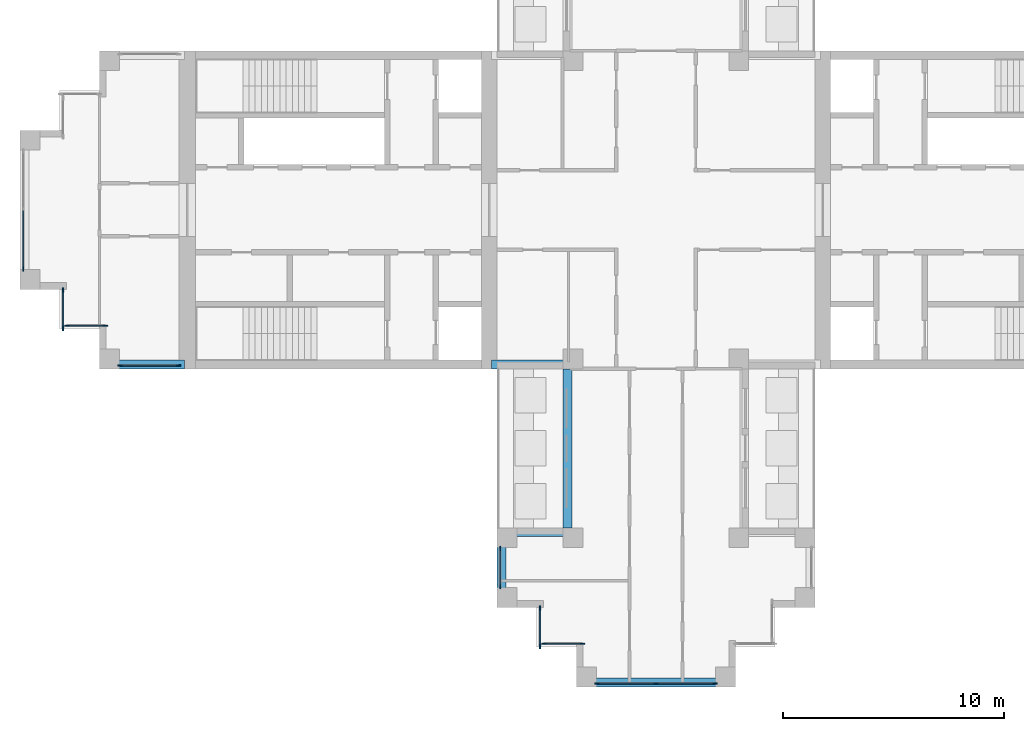
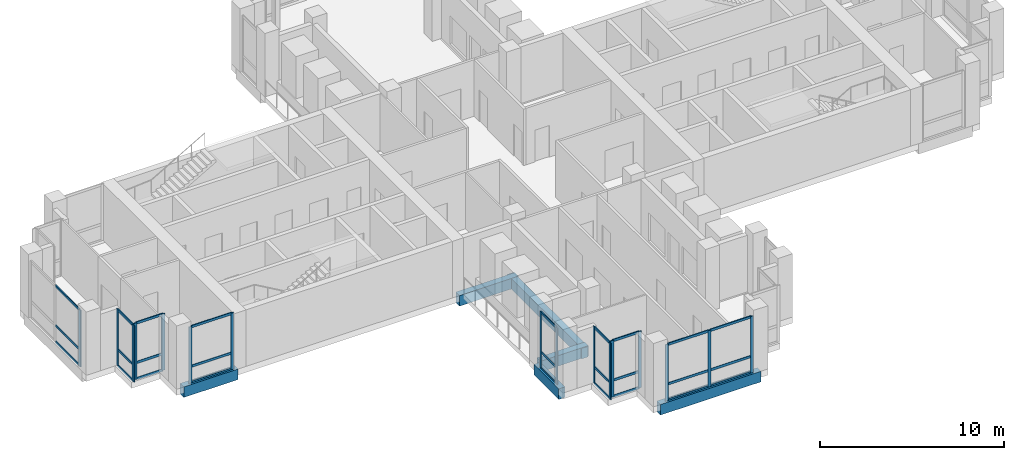
# One storey, part 2 of 13: 43 members, 6 beams, 8 elements without a shape of their own.
"""IFC4 building model written with IfcOpenShell, lengths in metres."""

from ifc_helpers import new_model, si_unit, direction, frame, origin, origin_2d, place, context, subcontext, project, spatial, rectangle, extrude, material, material_profile, profile_set, type_object, element, aggregate, save


model = new_model("IFC4")

# Units and contexts
model_context = context("Model", 3, precision=1e-05, world=origin(), true_north=direction((0.0, 1.0)))
body_context = subcontext(model_context, "Body", "Model", "MODEL_VIEW")
ifc_project = project(units=[si_unit("LENGTHUNIT", "METRE"), si_unit("AREAUNIT", "SQUARE_METRE"), si_unit("VOLUMEUNIT", "CUBIC_METRE"), si_unit("PLANEANGLEUNIT", "RADIAN"), si_unit("MASSUNIT", "GRAM", prefix="KILO")], contexts=[model_context])

# Site, building, storey
site_placement = place(None, origin())
site = spatial("IfcSite", under=ifc_project, at=site_placement, CompositionType="ELEMENT")
building_placement = place(site_placement, origin())
building = spatial("IfcBuilding", under=site, at=building_placement, Name="Fustian Cross Tower", CompositionType="ELEMENT")
storey_placement = place(building_placement, frame((0.0, 0.0, 237.89990234375)))
storey = spatial("IfcBuildingStorey", under=building, at=storey_placement, Name="L75", CompositionType="ELEMENT", Elevation=237.89990234375)

# Curtain wall, member
ifc_material_1 = material(Name="Dark anodised aluminium and double glazing", Category="aluminium")
curtain_wall_type = type_object("IfcCurtainWallType", Name="CW2 SUMMIT LOUNGE CURTAIN WALL", PredefinedType="NOTDEFINED", material=ifc_material_1)
curtain_wall_1_placement = place(storey_placement, origin())
curtain_wall_1 = element("IfcCurtainWall", 1, at=curtain_wall_1_placement, inside=storey, type_object=curtain_wall_type, Name="Curtain wall", PredefinedType="NOTDEFINED")
ifc_material_2 = material(Name="Aluminium alloy 6063", Category="aluminium")
ifc_material_profile_1 = material_profile(ifc_material_2, rectangle(XDim=0.06005859375, YDim=0.199951171875, at=origin_2d()), Name="CW2 MULLION 60X200")
ifc_profile_set_1 = profile_set([ifc_material_profile_1], Name="Aluminium alloy 6063")
member_type_1 = type_object("IfcMemberType", Name="CW2 MULLION 60X200", PredefinedType="MULLION", material=ifc_profile_set_1)
member_1_placement = place(storey_placement, frame((-28.64990234375, -2.669921875, 0.0), z_axis=(0.0, 0.0, 1.0), x_axis=(1.0, 0.0, 0.0)))
member_1 = element("IfcMember", 2, at=member_1_placement, type_object=member_type_1, Name="CW2 mullion 3", PredefinedType="MULLION", context=body_context, shape_type="SweptSolid", body=[
    extrude(rectangle(XDim=0.06005859375, YDim=0.199951171875, at=origin_2d()), origin(), (0.0, 0.0, 1.0), 3.75),
])

# Curtain wall, members
curtain_wall_2_placement = place(storey_placement, origin())
curtain_wall_2 = element("IfcCurtainWall", 3, at=curtain_wall_2_placement, inside=storey, type_object=curtain_wall_type, Name="Curtain wall", PredefinedType="NOTDEFINED")
member_2_placement = place(storey_placement, frame((-26.85009765625, -3.6298828125, 0.0), z_axis=(0.0, 0.0, 1.0), x_axis=(1.0, 0.0, 0.0)))
member_2 = element("IfcMember", 4, at=member_2_placement, type_object=member_type_1, Name="CW2 mullion 1", PredefinedType="MULLION", context=body_context, shape_type="SweptSolid", body=[
    extrude(rectangle(XDim=0.06005859375, YDim=0.199951171875, at=origin_2d()), origin(), (0.0, 0.0, 1.0), 3.75),
])
member_3_placement = place(storey_placement, frame((-26.85009765625, -5.3701171875, 0.0), z_axis=(0.0, 0.0, 1.0), x_axis=(1.0, 0.0, 0.0)))
member_3 = element("IfcMember", 5, at=member_3_placement, type_object=member_type_1, Name="CW2 mullion 2", PredefinedType="MULLION", context=body_context, shape_type="SweptSolid", body=[
    extrude(rectangle(XDim=0.06005859375, YDim=0.199951171875, at=origin_2d()), origin(), (0.0, 0.0, 1.0), 3.75),
])

curtain_wall_3_placement = place(storey_placement, origin())
curtain_wall_3 = element("IfcCurtainWall", 6, at=curtain_wall_3_placement, inside=storey, type_object=curtain_wall_type, Name="Curtain wall", PredefinedType="NOTDEFINED")
member_4_placement = place(storey_placement, frame((-26.669921875, -5.25, 0.0), z_axis=(0.0, 0.0, 1.0), x_axis=(0.0, 1.0, 0.0)))
member_4 = element("IfcMember", 7, at=member_4_placement, type_object=member_type_1, Name="CW2 mullion 1", PredefinedType="MULLION", context=body_context, shape_type="SweptSolid", body=[
    extrude(rectangle(XDim=0.06005859375, YDim=0.199951171875, at=origin_2d()), origin(), (0.0, 0.0, 1.0), 3.75),
])
member_5_placement = place(storey_placement, frame((-24.929931640625, -5.25, 0.0), z_axis=(0.0, 0.0, 1.0), x_axis=(0.0, 1.0, 0.0)))
member_5 = element("IfcMember", 8, at=member_5_placement, type_object=member_type_1, Name="CW2 mullion 2", PredefinedType="MULLION", context=body_context, shape_type="SweptSolid", body=[
    extrude(rectangle(XDim=0.06005859375, YDim=0.199951171875, at=origin_2d()), origin(), (0.0, 0.0, 1.0), 3.75),
])

curtain_wall_4_placement = place(storey_placement, origin())
curtain_wall_4 = element("IfcCurtainWall", 9, at=curtain_wall_4_placement, inside=storey, type_object=curtain_wall_type, Name="Curtain wall", PredefinedType="NOTDEFINED")
member_6_placement = place(storey_placement, frame((-24.27001953125, -7.050048828125, 0.0), z_axis=(0.0, 0.0, 1.0), x_axis=(0.0, 1.0, 0.0)))
member_6 = element("IfcMember", 10, at=member_6_placement, type_object=member_type_1, Name="CW2 mullion 1", PredefinedType="MULLION", context=body_context, shape_type="SweptSolid", body=[
    extrude(rectangle(XDim=0.06005859375, YDim=0.199951171875, at=origin_2d()), origin(), (0.0, 0.0, 1.0), 3.75),
])
member_7_placement = place(storey_placement, frame((-21.6298828125, -7.050048828125, 0.0), z_axis=(0.0, 0.0, 1.0), x_axis=(0.0, 1.0, 0.0)))
member_7 = element("IfcMember", 11, at=member_7_placement, type_object=member_type_1, Name="CW2 mullion 2", PredefinedType="MULLION", context=body_context, shape_type="SweptSolid", body=[
    extrude(rectangle(XDim=0.06005859375, YDim=0.199951171875, at=origin_2d()), origin(), (0.0, 0.0, 1.0), 3.75),
])

curtain_wall_5_placement = place(storey_placement, origin())
curtain_wall_5 = element("IfcCurtainWall", 12, at=curtain_wall_5_placement, inside=storey, type_object=curtain_wall_type, Name="Curtain wall", PredefinedType="NOTDEFINED")
member_8_placement = place(storey_placement, frame((-7.050048828125, -15.330078125, 0.0), z_axis=(0.0, 0.0, 1.0), x_axis=(1.0, 0.0, 0.0)))
member_8 = element("IfcMember", 13, at=member_8_placement, type_object=member_type_1, Name="CW2 mullion 1", PredefinedType="MULLION", context=body_context, shape_type="SweptSolid", body=[
    extrude(rectangle(XDim=0.06005859375, YDim=0.199951171875, at=origin_2d()), origin(), (0.0, 0.0, 1.0), 3.75),
])
member_9_placement = place(storey_placement, frame((-7.050048828125, -17.070068359375, 0.0), z_axis=(0.0, 0.0, 1.0), x_axis=(1.0, 0.0, 0.0)))
member_9 = element("IfcMember", 14, at=member_9_placement, type_object=member_type_1, Name="CW2 mullion 2", PredefinedType="MULLION", context=body_context, shape_type="SweptSolid", body=[
    extrude(rectangle(XDim=0.06005859375, YDim=0.199951171875, at=origin_2d()), origin(), (0.0, 0.0, 1.0), 3.75),
])

curtain_wall_6_placement = place(storey_placement, origin())
curtain_wall_6 = element("IfcCurtainWall", 15, at=curtain_wall_6_placement, inside=storey, type_object=curtain_wall_type, Name="Curtain wall", PredefinedType="NOTDEFINED")
member_10_placement = place(storey_placement, frame((-5.25, -18.030029296875, 0.0), z_axis=(0.0, 0.0, 1.0), x_axis=(1.0, 0.0, 0.0)))
member_10 = element("IfcMember", 16, at=member_10_placement, type_object=member_type_1, Name="CW2 mullion 1", PredefinedType="MULLION", context=body_context, shape_type="SweptSolid", body=[
    extrude(rectangle(XDim=0.06005859375, YDim=0.199951171875, at=origin_2d()), origin(), (0.0, 0.0, 1.0), 3.75),
])
member_11_placement = place(storey_placement, frame((-5.25, -19.77001953125, 0.0), z_axis=(0.0, 0.0, 1.0), x_axis=(1.0, 0.0, 0.0)))
member_11 = element("IfcMember", 17, at=member_11_placement, type_object=member_type_1, Name="CW2 mullion 2", PredefinedType="MULLION", context=body_context, shape_type="SweptSolid", body=[
    extrude(rectangle(XDim=0.06005859375, YDim=0.199951171875, at=origin_2d()), origin(), (0.0, 0.0, 1.0), 3.75),
])

curtain_wall_7_placement = place(storey_placement, origin())
curtain_wall_7 = element("IfcCurtainWall", 18, at=curtain_wall_7_placement, inside=storey, type_object=curtain_wall_type, Name="Curtain wall", PredefinedType="NOTDEFINED")
member_12_placement = place(storey_placement, frame((-5.070068359375, -19.64990234375, 0.0), z_axis=(0.0, 0.0, 1.0), x_axis=(0.0, 1.0, 0.0)))
member_12 = element("IfcMember", 19, at=member_12_placement, type_object=member_type_1, Name="CW2 mullion 1", PredefinedType="MULLION", context=body_context, shape_type="SweptSolid", body=[
    extrude(rectangle(XDim=0.06005859375, YDim=0.199951171875, at=origin_2d()), origin(), (0.0, 0.0, 1.0), 3.75),
])
member_13_placement = place(storey_placement, frame((-3.330078125, -19.64990234375, 0.0), z_axis=(0.0, 0.0, 1.0), x_axis=(0.0, 1.0, 0.0)))
member_13 = element("IfcMember", 20, at=member_13_placement, type_object=member_type_1, Name="CW2 mullion 2", PredefinedType="MULLION", context=body_context, shape_type="SweptSolid", body=[
    extrude(rectangle(XDim=0.06005859375, YDim=0.199951171875, at=origin_2d()), origin(), (0.0, 0.0, 1.0), 3.75),
])

curtain_wall_8_placement = place(storey_placement, origin())
curtain_wall_8 = element("IfcCurtainWall", 21, at=curtain_wall_8_placement, inside=storey, type_object=curtain_wall_type, Name="Curtain wall", PredefinedType="NOTDEFINED")
member_14_placement = place(storey_placement, frame((-2.669921875, -21.449951171875, 0.0), z_axis=(0.0, 0.0, 1.0), x_axis=(0.0, 1.0, 0.0)))
member_14 = element("IfcMember", 22, at=member_14_placement, type_object=member_type_1, Name="CW2 mullion 1", PredefinedType="MULLION", context=body_context, shape_type="SweptSolid", body=[
    extrude(rectangle(XDim=0.06005859375, YDim=0.199951171875, at=origin_2d()), origin(), (0.0, 0.0, 1.0), 3.75),
])
member_15_placement = place(storey_placement, frame((0.0, -21.449951171875, 0.0), z_axis=(0.0, 0.0, 1.0), x_axis=(0.0, 1.0, 0.0)))
member_15 = element("IfcMember", 23, at=member_15_placement, type_object=member_type_1, Name="CW2 mullion 2", PredefinedType="MULLION", context=body_context, shape_type="SweptSolid", body=[
    extrude(rectangle(XDim=0.06005859375, YDim=0.199951171875, at=origin_2d()), origin(), (0.0, 0.0, 1.0), 3.75),
])
member_16_placement = place(storey_placement, frame((2.669921875, -21.449951171875, 0.0), z_axis=(0.0, 0.0, 1.0), x_axis=(0.0, 1.0, 0.0)))
member_16 = element("IfcMember", 24, at=member_16_placement, type_object=member_type_1, Name="CW2 mullion 3", PredefinedType="MULLION", context=body_context, shape_type="SweptSolid", body=[
    extrude(rectangle(XDim=0.06005859375, YDim=0.199951171875, at=origin_2d()), origin(), (0.0, 0.0, 1.0), 3.75),
])

# Member
ifc_material_3 = material(Name="Aluminium alloy 6063", Category="aluminium")
ifc_material_profile_2 = material_profile(ifc_material_3, rectangle(XDim=0.06005859375, YDim=0.159912109375, at=origin_2d()), Name="CW2 TRANSOM 60X160")
ifc_profile_set_2 = profile_set([ifc_material_profile_2], Name="Aluminium alloy 6063")
member_type_2 = type_object("IfcMemberType", Name="CW2 TRANSOM 60X160", PredefinedType="USERDEFINED", material=ifc_profile_set_2)
member_17_placement = place(storey_placement, frame((-28.64990234375, -0.030029296875, 0.030029296875), z_axis=(0.0, -1.0, 0.0), x_axis=(1.0, 0.0, 0.0)))
member_17 = element("IfcMember", 25, at=member_17_placement, type_object=member_type_2, Name="CW2 transom 2.1", ObjectType="TRANSOM", PredefinedType="USERDEFINED", context=body_context, shape_type="SweptSolid", body=[
    extrude(rectangle(XDim=0.06005859375, YDim=0.159912109375, at=origin_2d()), origin(), (0.0, 0.0, 1.0), 2.60986328125),
])

member_18_placement = place(storey_placement, frame((-28.64990234375, -0.030029296875, 1.10009765625), z_axis=(0.0, -1.0, 0.0), x_axis=(1.0, 0.0, 0.0)))
member_18 = element("IfcMember", 26, at=member_18_placement, type_object=member_type_2, Name="CW2 transom 2.2", ObjectType="TRANSOM", PredefinedType="USERDEFINED", context=body_context, shape_type="SweptSolid", body=[
    extrude(rectangle(XDim=0.06005859375, YDim=0.159912109375, at=origin_2d()), origin(), (0.0, 0.0, 1.0), 2.60986328125),
])

member_19_placement = place(storey_placement, frame((-28.64990234375, -0.030029296875, 3.72021484375), z_axis=(0.0, -1.0, 0.0), x_axis=(1.0, 0.0, 0.0)))
member_19 = element("IfcMember", 27, at=member_19_placement, type_object=member_type_2, Name="CW2 transom 2.3", ObjectType="TRANSOM", PredefinedType="USERDEFINED", context=body_context, shape_type="SweptSolid", body=[
    extrude(rectangle(XDim=0.06005859375, YDim=0.159912109375, at=origin_2d()), origin(), (0.0, 0.0, 1.0), 2.60986328125),
])

aggregate(curtain_wall_1, [member_1, member_17, member_18, member_19])

member_20_placement = place(storey_placement, frame((-26.85009765625, -3.659912109375, 0.030029296875), z_axis=(0.0, -1.0, 0.0), x_axis=(1.0, 0.0, 0.0)))
member_20 = element("IfcMember", 28, at=member_20_placement, type_object=member_type_2, Name="CW2 transom 1.1", ObjectType="TRANSOM", PredefinedType="USERDEFINED", context=body_context, shape_type="SweptSolid", body=[
    extrude(rectangle(XDim=0.06005859375, YDim=0.159912109375, at=origin_2d()), origin(), (0.0, 0.0, 1.0), 1.68017578125),
])

member_21_placement = place(storey_placement, frame((-26.85009765625, -3.659912109375, 1.10009765625), z_axis=(0.0, -1.0, 0.0), x_axis=(1.0, 0.0, 0.0)))
member_21 = element("IfcMember", 29, at=member_21_placement, type_object=member_type_2, Name="CW2 transom 1.2", ObjectType="TRANSOM", PredefinedType="USERDEFINED", context=body_context, shape_type="SweptSolid", body=[
    extrude(rectangle(XDim=0.06005859375, YDim=0.159912109375, at=origin_2d()), origin(), (0.0, 0.0, 1.0), 1.68017578125),
])

member_22_placement = place(storey_placement, frame((-26.85009765625, -3.659912109375, 3.72021484375), z_axis=(0.0, -1.0, 0.0), x_axis=(1.0, 0.0, 0.0)))
member_22 = element("IfcMember", 30, at=member_22_placement, type_object=member_type_2, Name="CW2 transom 1.3", ObjectType="TRANSOM", PredefinedType="USERDEFINED", context=body_context, shape_type="SweptSolid", body=[
    extrude(rectangle(XDim=0.06005859375, YDim=0.159912109375, at=origin_2d()), origin(), (0.0, 0.0, 1.0), 1.68017578125),
])

aggregate(curtain_wall_2, [member_2, member_3, member_20, member_21, member_22])

member_23_placement = place(storey_placement, frame((-26.639892578125, -5.25, 0.030029296875), z_axis=(1.0, 0.0, 0.0), x_axis=(0.0, 1.0, 0.0)))
member_23 = element("IfcMember", 31, at=member_23_placement, type_object=member_type_2, Name="CW2 transom 1.1", ObjectType="TRANSOM", PredefinedType="USERDEFINED", context=body_context, shape_type="SweptSolid", body=[
    extrude(rectangle(XDim=0.06005859375, YDim=0.159912109375, at=origin_2d()), origin(), (0.0, 0.0, 1.0), 1.679931640625),
])

member_24_placement = place(storey_placement, frame((-26.639892578125, -5.25, 1.10009765625), z_axis=(1.0, 0.0, 0.0), x_axis=(0.0, 1.0, 0.0)))
member_24 = element("IfcMember", 32, at=member_24_placement, type_object=member_type_2, Name="CW2 transom 1.2", ObjectType="TRANSOM", PredefinedType="USERDEFINED", context=body_context, shape_type="SweptSolid", body=[
    extrude(rectangle(XDim=0.06005859375, YDim=0.159912109375, at=origin_2d()), origin(), (0.0, 0.0, 1.0), 1.679931640625),
])

member_25_placement = place(storey_placement, frame((-26.639892578125, -5.25, 3.72021484375), z_axis=(1.0, 0.0, 0.0), x_axis=(0.0, 1.0, 0.0)))
member_25 = element("IfcMember", 33, at=member_25_placement, type_object=member_type_2, Name="CW2 transom 1.3", ObjectType="TRANSOM", PredefinedType="USERDEFINED", context=body_context, shape_type="SweptSolid", body=[
    extrude(rectangle(XDim=0.06005859375, YDim=0.159912109375, at=origin_2d()), origin(), (0.0, 0.0, 1.0), 1.679931640625),
])

aggregate(curtain_wall_3, [member_4, member_5, member_23, member_24, member_25])

member_26_placement = place(storey_placement, frame((-24.239990234375, -7.050048828125, 0.030029296875), z_axis=(1.0, 0.0, 0.0), x_axis=(0.0, 1.0, 0.0)))
member_26 = element("IfcMember", 34, at=member_26_placement, type_object=member_type_2, Name="CW2 transom 1.1", ObjectType="TRANSOM", PredefinedType="USERDEFINED", context=body_context, shape_type="SweptSolid", body=[
    extrude(rectangle(XDim=0.06005859375, YDim=0.159912109375, at=origin_2d()), origin(), (0.0, 0.0, 1.0), 2.580078125),
])

member_27_placement = place(storey_placement, frame((-24.239990234375, -7.050048828125, 1.10009765625), z_axis=(1.0, 0.0, 0.0), x_axis=(0.0, 1.0, 0.0)))
member_27 = element("IfcMember", 35, at=member_27_placement, type_object=member_type_2, Name="CW2 transom 1.2", ObjectType="TRANSOM", PredefinedType="USERDEFINED", context=body_context, shape_type="SweptSolid", body=[
    extrude(rectangle(XDim=0.06005859375, YDim=0.159912109375, at=origin_2d()), origin(), (0.0, 0.0, 1.0), 2.580078125),
])

member_28_placement = place(storey_placement, frame((-24.239990234375, -7.050048828125, 3.72021484375), z_axis=(1.0, 0.0, 0.0), x_axis=(0.0, 1.0, 0.0)))
member_28 = element("IfcMember", 36, at=member_28_placement, type_object=member_type_2, Name="CW2 transom 1.3", ObjectType="TRANSOM", PredefinedType="USERDEFINED", context=body_context, shape_type="SweptSolid", body=[
    extrude(rectangle(XDim=0.06005859375, YDim=0.159912109375, at=origin_2d()), origin(), (0.0, 0.0, 1.0), 2.580078125),
])

aggregate(curtain_wall_4, [member_6, member_7, member_26, member_27, member_28])

member_29_placement = place(storey_placement, frame((-7.050048828125, -15.360107421875, 0.030029296875), z_axis=(0.0, -1.0, 0.0), x_axis=(1.0, 0.0, 0.0)))
member_29 = element("IfcMember", 37, at=member_29_placement, type_object=member_type_2, Name="CW2 transom 1.1", ObjectType="TRANSOM", PredefinedType="USERDEFINED", context=body_context, shape_type="SweptSolid", body=[
    extrude(rectangle(XDim=0.06005859375, YDim=0.159912109375, at=origin_2d()), origin(), (0.0, 0.0, 1.0), 1.679931640625),
])

member_30_placement = place(storey_placement, frame((-7.050048828125, -15.360107421875, 1.10009765625), z_axis=(0.0, -1.0, 0.0), x_axis=(1.0, 0.0, 0.0)))
member_30 = element("IfcMember", 38, at=member_30_placement, type_object=member_type_2, Name="CW2 transom 1.2", ObjectType="TRANSOM", PredefinedType="USERDEFINED", context=body_context, shape_type="SweptSolid", body=[
    extrude(rectangle(XDim=0.06005859375, YDim=0.159912109375, at=origin_2d()), origin(), (0.0, 0.0, 1.0), 1.679931640625),
])

member_31_placement = place(storey_placement, frame((-7.050048828125, -15.360107421875, 3.72021484375), z_axis=(0.0, -1.0, 0.0), x_axis=(1.0, 0.0, 0.0)))
member_31 = element("IfcMember", 39, at=member_31_placement, type_object=member_type_2, Name="CW2 transom 1.3", ObjectType="TRANSOM", PredefinedType="USERDEFINED", context=body_context, shape_type="SweptSolid", body=[
    extrude(rectangle(XDim=0.06005859375, YDim=0.159912109375, at=origin_2d()), origin(), (0.0, 0.0, 1.0), 1.679931640625),
])

aggregate(curtain_wall_5, [member_8, member_9, member_29, member_30, member_31])

member_32_placement = place(storey_placement, frame((-5.25, -18.06005859375, 0.030029296875), z_axis=(0.0, -1.0, 0.0), x_axis=(1.0, 0.0, 0.0)))
member_32 = element("IfcMember", 40, at=member_32_placement, type_object=member_type_2, Name="CW2 transom 1.1", ObjectType="TRANSOM", PredefinedType="USERDEFINED", context=body_context, shape_type="SweptSolid", body=[
    extrude(rectangle(XDim=0.06005859375, YDim=0.159912109375, at=origin_2d()), origin(), (0.0, 0.0, 1.0), 1.679931640625),
])

member_33_placement = place(storey_placement, frame((-5.25, -18.06005859375, 1.10009765625), z_axis=(0.0, -1.0, 0.0), x_axis=(1.0, 0.0, 0.0)))
member_33 = element("IfcMember", 41, at=member_33_placement, type_object=member_type_2, Name="CW2 transom 1.2", ObjectType="TRANSOM", PredefinedType="USERDEFINED", context=body_context, shape_type="SweptSolid", body=[
    extrude(rectangle(XDim=0.06005859375, YDim=0.159912109375, at=origin_2d()), origin(), (0.0, 0.0, 1.0), 1.679931640625),
])

member_34_placement = place(storey_placement, frame((-5.25, -18.06005859375, 3.72021484375), z_axis=(0.0, -1.0, 0.0), x_axis=(1.0, 0.0, 0.0)))
member_34 = element("IfcMember", 42, at=member_34_placement, type_object=member_type_2, Name="CW2 transom 1.3", ObjectType="TRANSOM", PredefinedType="USERDEFINED", context=body_context, shape_type="SweptSolid", body=[
    extrude(rectangle(XDim=0.06005859375, YDim=0.159912109375, at=origin_2d()), origin(), (0.0, 0.0, 1.0), 1.679931640625),
])

aggregate(curtain_wall_6, [member_10, member_11, member_32, member_33, member_34])

member_35_placement = place(storey_placement, frame((-5.0400390625, -19.64990234375, 0.030029296875), z_axis=(1.0, 0.0, 0.0), x_axis=(0.0, 1.0, 0.0)))
member_35 = element("IfcMember", 43, at=member_35_placement, type_object=member_type_2, Name="CW2 transom 1.1", ObjectType="TRANSOM", PredefinedType="USERDEFINED", context=body_context, shape_type="SweptSolid", body=[
    extrude(rectangle(XDim=0.06005859375, YDim=0.159912109375, at=origin_2d()), origin(), (0.0, 0.0, 1.0), 1.679931640625),
])

member_36_placement = place(storey_placement, frame((-5.0400390625, -19.64990234375, 1.10009765625), z_axis=(1.0, 0.0, 0.0), x_axis=(0.0, 1.0, 0.0)))
member_36 = element("IfcMember", 44, at=member_36_placement, type_object=member_type_2, Name="CW2 transom 1.2", ObjectType="TRANSOM", PredefinedType="USERDEFINED", context=body_context, shape_type="SweptSolid", body=[
    extrude(rectangle(XDim=0.06005859375, YDim=0.159912109375, at=origin_2d()), origin(), (0.0, 0.0, 1.0), 1.679931640625),
])

member_37_placement = place(storey_placement, frame((-5.0400390625, -19.64990234375, 3.72021484375), z_axis=(1.0, 0.0, 0.0), x_axis=(0.0, 1.0, 0.0)))
member_37 = element("IfcMember", 45, at=member_37_placement, type_object=member_type_2, Name="CW2 transom 1.3", ObjectType="TRANSOM", PredefinedType="USERDEFINED", context=body_context, shape_type="SweptSolid", body=[
    extrude(rectangle(XDim=0.06005859375, YDim=0.159912109375, at=origin_2d()), origin(), (0.0, 0.0, 1.0), 1.679931640625),
])

aggregate(curtain_wall_7, [member_12, member_13, member_35, member_36, member_37])

member_38_placement = place(storey_placement, frame((-2.639892578125, -21.449951171875, 0.030029296875), z_axis=(1.0, 0.0, 0.0), x_axis=(0.0, 1.0, 0.0)))
member_38 = element("IfcMember", 46, at=member_38_placement, type_object=member_type_2, Name="CW2 transom 1.1", ObjectType="TRANSOM", PredefinedType="USERDEFINED", context=body_context, shape_type="SweptSolid", body=[
    extrude(rectangle(XDim=0.06005859375, YDim=0.159912109375, at=origin_2d()), origin(), (0.0, 0.0, 1.0), 2.60986328125),
])

member_39_placement = place(storey_placement, frame((-2.639892578125, -21.449951171875, 1.10009765625), z_axis=(1.0, 0.0, 0.0), x_axis=(0.0, 1.0, 0.0)))
member_39 = element("IfcMember", 47, at=member_39_placement, type_object=member_type_2, Name="CW2 transom 1.2", ObjectType="TRANSOM", PredefinedType="USERDEFINED", context=body_context, shape_type="SweptSolid", body=[
    extrude(rectangle(XDim=0.06005859375, YDim=0.159912109375, at=origin_2d()), origin(), (0.0, 0.0, 1.0), 2.60986328125),
])

member_40_placement = place(storey_placement, frame((-2.639892578125, -21.449951171875, 3.72021484375), z_axis=(1.0, 0.0, 0.0), x_axis=(0.0, 1.0, 0.0)))
member_40 = element("IfcMember", 48, at=member_40_placement, type_object=member_type_2, Name="CW2 transom 1.3", ObjectType="TRANSOM", PredefinedType="USERDEFINED", context=body_context, shape_type="SweptSolid", body=[
    extrude(rectangle(XDim=0.06005859375, YDim=0.159912109375, at=origin_2d()), origin(), (0.0, 0.0, 1.0), 2.60986328125),
])

member_41_placement = place(storey_placement, frame((0.030029296875, -21.449951171875, 0.030029296875), z_axis=(1.0, 0.0, 0.0), x_axis=(0.0, 1.0, 0.0)))
member_41 = element("IfcMember", 49, at=member_41_placement, type_object=member_type_2, Name="CW2 transom 2.1", ObjectType="TRANSOM", PredefinedType="USERDEFINED", context=body_context, shape_type="SweptSolid", body=[
    extrude(rectangle(XDim=0.06005859375, YDim=0.159912109375, at=origin_2d()), origin(), (0.0, 0.0, 1.0), 2.60986328125),
])

member_42_placement = place(storey_placement, frame((0.030029296875, -21.449951171875, 1.10009765625), z_axis=(1.0, 0.0, 0.0), x_axis=(0.0, 1.0, 0.0)))
member_42 = element("IfcMember", 50, at=member_42_placement, type_object=member_type_2, Name="CW2 transom 2.2", ObjectType="TRANSOM", PredefinedType="USERDEFINED", context=body_context, shape_type="SweptSolid", body=[
    extrude(rectangle(XDim=0.06005859375, YDim=0.159912109375, at=origin_2d()), origin(), (0.0, 0.0, 1.0), 2.60986328125),
])

member_43_placement = place(storey_placement, frame((0.030029296875, -21.449951171875, 3.72021484375), z_axis=(1.0, 0.0, 0.0), x_axis=(0.0, 1.0, 0.0)))
member_43 = element("IfcMember", 51, at=member_43_placement, type_object=member_type_2, Name="CW2 transom 2.3", ObjectType="TRANSOM", PredefinedType="USERDEFINED", context=body_context, shape_type="SweptSolid", body=[
    extrude(rectangle(XDim=0.06005859375, YDim=0.159912109375, at=origin_2d()), origin(), (0.0, 0.0, 1.0), 2.60986328125),
])

aggregate(curtain_wall_8, [member_14, member_15, member_16, member_38, member_39, member_40, member_41, member_42, member_43])

# Beams
ifc_material_4 = material(Name="Concrete C50/60", Category="concrete")
ifc_material_profile_3 = material_profile(ifc_material_4, rectangle(XDim=0.39990234375, YDim=0.699951171875, at=origin_2d()), Name="RC 400x700")
ifc_profile_set_3 = profile_set([ifc_material_profile_3], Name="Concrete C50/60")
beam_type = type_object("IfcBeamType", Name="EDGE BEAM RC 400x700 C50/60", PredefinedType="SPANDREL", material=ifc_profile_set_3)
beam_1_placement = place(storey_placement, frame((-24.75, -7.0, -0.349853515625), z_axis=(1.0, 0.0, 0.0), x_axis=(0.0, 1.0, 0.0)))
element("IfcBeam", 52, at=beam_1_placement, inside=storey, type_object=beam_type, Name="EDGE BEAM L75-15", PredefinedType="SPANDREL", context=body_context, shape_type="SweptSolid", body=[
    extrude(rectangle(XDim=0.39990234375, YDim=0.699951171875, at=origin_2d()), origin(), (0.0, 0.0, 1.0), 3.39990234375),
])
beam_2_placement = place(storey_placement, frame((-7.449951171875, -7.0, -0.349853515625), z_axis=(1.0, 0.0, 0.0), x_axis=(0.0, 1.0, 0.0)))
element("IfcBeam", 53, at=beam_2_placement, inside=storey, type_object=beam_type, Name="EDGE BEAM L75-16", PredefinedType="SPANDREL", context=body_context, shape_type="SweptSolid", body=[
    extrude(rectangle(XDim=0.39990234375, YDim=0.699951171875, at=origin_2d()), origin(), (0.0, 0.0, 1.0), 3.699951171875),
])
beam_3_placement = place(storey_placement, frame((-4.0, -6.75, -0.349853515625), z_axis=(0.0, -1.0, 0.0), x_axis=(1.0, 0.0, 0.0)))
element("IfcBeam", 54, at=beam_3_placement, inside=storey, type_object=beam_type, Name="EDGE BEAM L75-17", PredefinedType="SPANDREL", context=body_context, shape_type="SweptSolid", body=[
    extrude(rectangle(XDim=0.39990234375, YDim=0.699951171875, at=origin_2d()), origin(), (0.0, 0.0, 1.0), 8.10009765625),
])
beam_4_placement = place(storey_placement, frame((-3.75, -14.60009765625, -0.349853515625), z_axis=(-1.0, 0.0, 0.0), x_axis=(0.0, -1.0, 0.0)))
element("IfcBeam", 55, at=beam_4_placement, inside=storey, type_object=beam_type, Name="EDGE BEAM L75-18", PredefinedType="SPANDREL", context=body_context, shape_type="SweptSolid", body=[
    extrude(rectangle(XDim=0.39990234375, YDim=0.699951171875, at=origin_2d()), origin(), (0.0, 0.0, 1.0), 3.0),
])
beam_5_placement = place(storey_placement, frame((-7.0, -14.85009765625, -0.349853515625), z_axis=(0.0, -1.0, 0.0), x_axis=(1.0, 0.0, 0.0)))
element("IfcBeam", 56, at=beam_5_placement, inside=storey, type_object=beam_type, Name="EDGE BEAM L75-19", PredefinedType="SPANDREL", context=body_context, shape_type="SweptSolid", body=[
    extrude(rectangle(XDim=0.39990234375, YDim=0.699951171875, at=origin_2d()), origin(), (0.0, 0.0, 1.0), 2.699951171875),
])
beam_6_placement = place(storey_placement, frame((-3.14990234375, -21.39990234375, -0.349853515625), z_axis=(1.0, 0.0, 0.0), x_axis=(0.0, 1.0, 0.0)))
element("IfcBeam", 57, at=beam_6_placement, inside=storey, type_object=beam_type, Name="EDGE BEAM L75-20", PredefinedType="SPANDREL", context=body_context, shape_type="SweptSolid", body=[
    extrude(rectangle(XDim=0.39990234375, YDim=0.699951171875, at=origin_2d()), origin(), (0.0, 0.0, 1.0), 6.2998046875),
])

save(model, "model.ifc")
